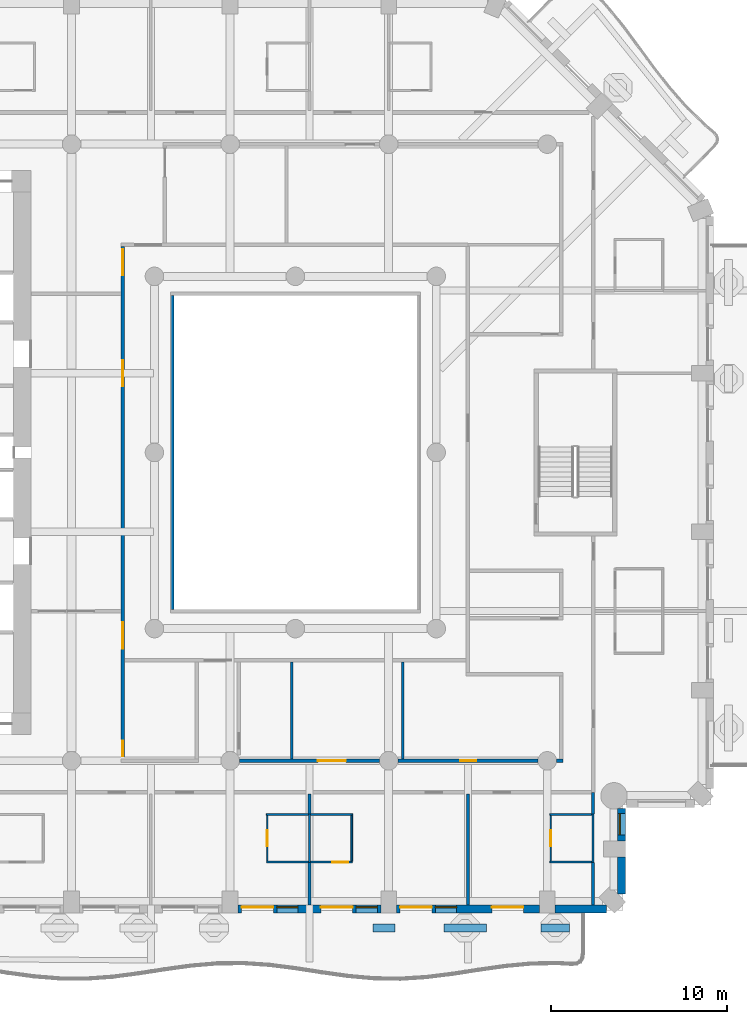
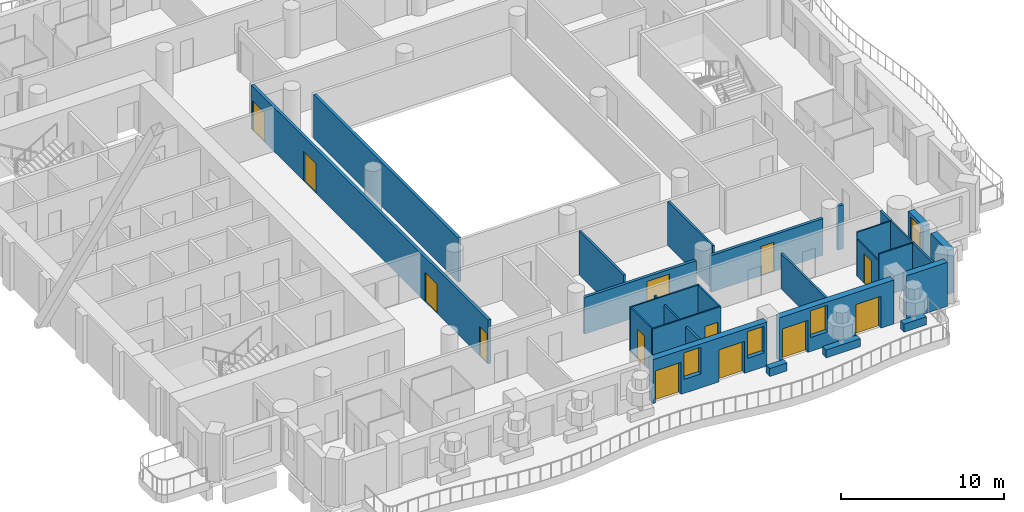
# One storey, part 5 of 21: 29 walls, 13 doors, 4 windows, 17 openings.
"""IFC4 building model written with IfcOpenShell, lengths in metres."""

import ifcopenshell
import ifcopenshell.guid

model = None  # the IFC model being written
_history = None  # IfcOwnerHistory: only IFC2X3 demands one
_inside = {}  # id of a spatial element -> (the spatial element, [elements in it])
_under = {}  # id of a project, library or spatial element -> (it, [spatial elements below it])
_declared = {}  # id of a project -> (the project, [libraries it declares])
_typed = {}  # id of a type object -> (the type object, [elements of that type])
_made_of = {}  # id of a material, layer set ... -> (it, [elements and type objects made of it])


def new_model(schema):
    """Start an empty IFC model of exactly this schema.

    Asked for "IFC4X3", IfcOpenShell would pick the latest addendum, in which some entities
    have other attributes; the version numbers below select the first issue.
    IFC2X3 requires an IfcOwnerHistory on every rooted entity: one is made here for all.
    """
    global model, _history
    if schema == "IFC4X3":
        model = ifcopenshell.file(schema_version=(4, 3, 0, 0))
    else:
        model = ifcopenshell.file(schema=schema)
    _inside.clear()
    _under.clear()
    _declared.clear()
    _typed.clear()
    _made_of.clear()
    _history = None
    if model.schema == "IFC2X3":
        org = make("IfcOrganization", Name="unknown")
        user = make(
            "IfcPersonAndOrganization",
            ThePerson=make("IfcPerson", FamilyName="unknown"),
            TheOrganization=org,
        )
        app = make(
            "IfcApplication",
            ApplicationDeveloper=org,
            Version="unknown",
            ApplicationFullName="unknown",
            ApplicationIdentifier="unknown",
        )
        _history = make(
            "IfcOwnerHistory",
            OwningUser=user,
            OwningApplication=app,
            ChangeAction="ADDED",
            CreationDate=0,
        )
    return model


def make(cls, **values):
    """One entity of the class cls with the attributes given. An attribute that is None is left unset."""
    return model.create_entity(
        cls, **{name: value for name, value in values.items() if value is not None}
    )


def rooted(cls, **values):
    """An entity with a GlobalId (a new one), such as an element, a storey or a relation."""
    return make(cls, GlobalId=ifcopenshell.guid.new(), OwnerHistory=_history, **values)


def si_unit(unit_type, name, prefix=None):
    """IfcSIUnit, for example si_unit("LENGTHUNIT", "METRE", prefix="MILLI")."""
    return make("IfcSIUnit", UnitType=unit_type, Prefix=prefix, Name=name)


def assignment(units):
    """IfcUnitAssignment: the units of a project."""
    return None if units is None else make("IfcUnitAssignment", Units=units)


def point(xyz):
    """IfcCartesianPoint."""
    return None if xyz is None else make("IfcCartesianPoint", Coordinates=xyz)


def direction(xyz):
    """IfcDirection."""
    return None if xyz is None else make("IfcDirection", DirectionRatios=xyz)


def frame(location, z_axis=None, x_axis=None):
    """IfcAxis2Placement3D, a coordinate frame: its origin and axes. An axis left out is left unset."""
    return make(
        "IfcAxis2Placement3D",
        Location=point(location),
        Axis=direction(z_axis),
        RefDirection=direction(x_axis),
    )


def frame_2d(location, x_axis=None):
    """IfcAxis2Placement2D, a coordinate frame in the plane: its origin and x axis."""
    return make(
        "IfcAxis2Placement2D", Location=point(location), RefDirection=direction(x_axis)
    )


def origin():
    """The frame at (0, 0, 0) with its axes left unset."""
    return frame((0.0, 0.0, 0.0))


def place(relative_to, where):
    """IfcLocalPlacement: puts the frame where relative to a parent placement (None: the world)."""
    return make(
        "IfcLocalPlacement", PlacementRelTo=relative_to, RelativePlacement=where
    )


def context(
    kind, dimensions, precision=None, world=None, true_north=None, identifier=None
):
    """IfcGeometricRepresentationContext, for example the 3D "Model" context."""
    return make(
        "IfcGeometricRepresentationContext",
        ContextIdentifier=identifier,
        ContextType=kind,
        CoordinateSpaceDimension=dimensions,
        Precision=precision,
        WorldCoordinateSystem=world,
        TrueNorth=true_north,
    )


def subcontext(parent, identifier, kind, view, scale=None):
    """IfcGeometricRepresentationSubContext, for example "Body" below "Model"."""
    return make(
        "IfcGeometricRepresentationSubContext",
        ContextIdentifier=identifier,
        ContextType=kind,
        ParentContext=parent,
        TargetScale=scale,
        TargetView=view,
    )


def project(units=None, contexts=None):
    """IfcProject with its units and contexts."""
    return rooted(
        "IfcProject",
        Name="project",
        RepresentationContexts=contexts,
        UnitsInContext=assignment(units),
    )


def spatial(cls, under=None, at=None, **own):
    """A site, building, storey or space (cls), placed at a placement, below another one or the project."""
    s = rooted(cls, ObjectPlacement=at, **own)
    if under is not None:
        _under.setdefault(under.id(), (under, []))[1].append(s)
    return s


def profile(cls, at=None, kind="AREA", **sizes):
    """A parametric profile (cls). Its sizes go by their IFC names, for example OverallWidth=200.0."""
    return make(cls, ProfileType=kind, Position=at, **sizes)


def rectangle(**sizes):
    """IfcRectangleProfileDef."""
    return profile("IfcRectangleProfileDef", **sizes)


def extrude(swept, where, along, depth):
    """IfcExtrudedAreaSolid: the profile swept, set in the frame where, extruded along a direction by depth."""
    return make(
        "IfcExtrudedAreaSolid",
        SweptArea=swept,
        Position=where,
        ExtrudedDirection=direction(along),
        Depth=depth,
    )


def shape(context_of_items, identifier, shape_type, items):
    """IfcShapeRepresentation: the items that make up one representation, for example the "Body"."""
    return make(
        "IfcShapeRepresentation",
        ContextOfItems=context_of_items,
        RepresentationIdentifier=identifier,
        RepresentationType=shape_type,
        Items=items,
    )


def material(Name=None, Category=None):
    """IfcMaterial."""
    return make("IfcMaterial", Name=Name, Category=Category)


def layer(
    of_material, thickness, ventilated=None, Name=None, Category=None, Priority=None
):
    """IfcMaterialLayer: one layer of a wall or slab, of a material (None: an air gap)."""
    return make(
        "IfcMaterialLayer",
        Material=of_material,
        LayerThickness=thickness,
        IsVentilated=ventilated,
        Name=Name,
        Category=Category,
        Priority=Priority,
    )


def layer_set(layers, Name=None):
    """IfcMaterialLayerSet."""
    return make("IfcMaterialLayerSet", MaterialLayers=layers, LayerSetName=Name)


def made_of(thing, what):
    """Note that an element or type object is made of a material, layer set ...; save() writes the relation."""
    if what is not None:
        _made_of.setdefault(what.id(), (what, []))[1].append(thing)
    return thing


def type_object(cls, material=None, **own):
    """A type object (cls), such as IfcWallType, which elements share."""
    return made_of(rooted(cls, **own), material)


def element(
    cls,
    number,
    at=None,
    inside=None,
    cuts=None,
    type_object=None,
    material=None,
    context=None,
    identifier="Body",
    shape_type=None,
    held_by="IfcProductDefinitionShape",
    body=None,
    shapes=None,
    **own,
):
    """One element of the class cls, such as IfcWall. Its Tag is "e" and its number.

    at: its placement. inside: the storey or other place that contains it. cuts: it is an
    opening in that element (IfcRelVoidsElement). A single representation is given by context,
    identifier, shape_type and body (its items); several are given by shapes. held_by: the class
    of the entity that holds the representations. save() writes the other relations.
    """
    e = rooted(cls, Tag="e%d" % number, ObjectPlacement=at, **own)
    if body is not None:
        shapes = [shape(context, identifier, shape_type, body)]
    if shapes is not None:
        e.Representation = make(held_by, Representations=shapes)
    if inside is not None:
        _inside.setdefault(inside.id(), (inside, []))[1].append(e)
    if cuts is not None:
        rooted(
            "IfcRelVoidsElement", RelatingBuildingElement=cuts, RelatedOpeningElement=e
        )
    if type_object is not None:
        _typed.setdefault(type_object.id(), (type_object, []))[1].append(e)
    return made_of(e, material)


def fill(opening, filler):
    """IfcRelFillsElement: the door or window that sits in an opening."""
    return rooted(
        "IfcRelFillsElement",
        RelatingOpeningElement=opening,
        RelatedBuildingElement=filler,
    )


def aggregate(whole, parts):
    """IfcRelAggregates: a whole, such as a stair, and the parts it consists of."""
    return rooted("IfcRelAggregates", RelatingObject=whole, RelatedObjects=parts)


def save(model, path):
    """Write the relations noted so far, then the file.

    IfcRelAggregates (storeys below a building ...), IfcRelContainedInSpatialStructure (elements
    in a storey), IfcRelDefinesByType, IfcRelAssociatesMaterial and IfcRelDeclares: one each for
    every whole, place, type object, material and project.
    """
    for whole, parts in _under.values():
        aggregate(whole, parts)
    for where, things in _inside.values():
        rooted(
            "IfcRelContainedInSpatialStructure",
            RelatedElements=things,
            RelatingStructure=where,
        )
    for kind, things in _typed.values():
        rooted("IfcRelDefinesByType", RelatedObjects=things, RelatingType=kind)
    for what, things in _made_of.values():
        rooted("IfcRelAssociatesMaterial", RelatedObjects=things, RelatingMaterial=what)
    for by, libraries in _declared.values():
        rooted("IfcRelDeclares", RelatingContext=by, RelatedDefinitions=libraries)
    model.write(path)


model = new_model("IFC4")

# Units and contexts
model_context = context("Model", 3, precision=1e-05, world=origin(), true_north=direction((0.0, 1.0)))
body_context = subcontext(model_context, "Body", "Model", "MODEL_VIEW")
ifc_project = project(units=[si_unit("LENGTHUNIT", "METRE"), si_unit("AREAUNIT", "SQUARE_METRE"), si_unit("VOLUMEUNIT", "CUBIC_METRE"), si_unit("PLANEANGLEUNIT", "RADIAN"), si_unit("MASSUNIT", "GRAM", prefix="KILO")], contexts=[model_context])

# Site, building, storey
site_placement = place(None, origin())
site = spatial("IfcSite", under=ifc_project, at=site_placement, CompositionType="ELEMENT")
building_placement = place(site_placement, origin())
building = spatial("IfcBuilding", under=site, at=building_placement, Name="Cypress Arch Tower", CompositionType="ELEMENT")
storey_placement = place(building_placement, frame((0.0, 0.0, 127.5)))
storey = spatial("IfcBuildingStorey", under=building, at=storey_placement, Name="L27", CompositionType="ELEMENT", Elevation=127.5)

# Walls
ifc_material_1 = material(Name="Concrete C40/50, waterproofed", Category="concrete")
ifc_layer_1 = layer(ifc_material_1, 0.449951171875)
ifc_layer_set_1 = layer_set([ifc_layer_1], Name="Balcony planter wall PW450")
wall_type_1 = type_object("IfcWallType", Name="Balcony planter wall PW450", PredefinedType="SOLIDWALL", material=ifc_layer_set_1)
wall_1_placement = place(storey_placement, frame((5.419921875, -27.0, 0.0), z_axis=(0.0, 0.0, 1.0), x_axis=(1.0, 0.0, 0.0)))
element("IfcWall", 1, at=wall_1_placement, inside=storey, type_object=wall_type_1, Name="Balcony planter wall L27-A03.5", PredefinedType="SOLIDWALL", context=body_context, shape_type="SweptSolid", body=[
    extrude(rectangle(XDim=1.22998046875, YDim=0.449951171875, at=frame_2d((0.614990234375, 0.0))), origin(), (0.0, 0.0, 1.0), 0.60009765625),
])
wall_2_placement = place(storey_placement, frame((9.429931640625, -27.0, 0.0), z_axis=(0.0, 0.0, 1.0), x_axis=(1.0, 0.0, 0.0)))
element("IfcWall", 2, at=wall_2_placement, inside=storey, type_object=wall_type_1, Name="Balcony planter wall L27-A03.6", PredefinedType="SOLIDWALL", context=body_context, shape_type="SweptSolid", body=[
    extrude(rectangle(XDim=2.420166015625, YDim=0.449951171875, at=frame_2d((1.2099609375, 0.0))), origin(), (0.0, 0.0, 1.0), 0.60009765625),
])
wall_3_placement = place(storey_placement, frame((14.949951171875, -27.0, 0.0), z_axis=(0.0, 0.0, 1.0), x_axis=(1.0, 0.0, 0.0)))
element("IfcWall", 3, at=wall_3_placement, inside=storey, type_object=wall_type_1, Name="Balcony planter wall L27-A03.7", PredefinedType="SOLIDWALL", context=body_context, shape_type="SweptSolid", body=[
    extrude(rectangle(XDim=1.60009765625, YDim=0.449951171875, at=frame_2d((0.800048828125, 0.0))), origin(), (0.0, 0.0, 1.0), 0.60009765625),
])

# Wall, openings, doors, windows
ifc_material_2 = material(Name="Brick (red buff blend)", Category="masonry")
ifc_layer_2 = layer(ifc_material_2, 0.449951171875)
ifc_layer_set_2 = layer_set([ifc_layer_2], Name="Brick pier and spandrel wall BW450")
wall_type_2 = type_object("IfcWallType", Name="Brick pier and spandrel wall BW450", PredefinedType="SOLIDWALL", material=ifc_layer_set_2)
wall_4_placement = place(storey_placement, frame((-2.25, -25.925048828125, 0.0), z_axis=(0.0, 0.0, 1.0), x_axis=(1.0, 0.0, 0.0)))
wall_4 = element("IfcWall", 4, at=wall_4_placement, inside=storey, type_object=wall_type_2, Name="Brick wall L27 A03.3", PredefinedType="SOLIDWALL", context=body_context, shape_type="SweptSolid", body=[
    extrude(rectangle(XDim=8.10009765625, YDim=0.449951171875, at=frame_2d((4.050048828125, 0.0))), origin(), (0.0, 0.0, 1.0), 3.300048828125),
])
opening_1_placement = place(wall_4_placement, frame((0.199951171875, 0.0, 0.0)))
opening_1 = element("IfcOpeningElement", 5, at=opening_1_placement, cuts=wall_4, Name="Opening D-L27-A03.3.1", PredefinedType="OPENING", context=body_context, shape_type="SweptSolid", body=[
    extrude(rectangle(XDim=1.800048828125, YDim=2.39990234375, at=frame_2d((0.89990234375, 1.199951171875))), frame((0.0, 0.23486328125, 0.0), z_axis=(0.0, -1.0, 0.0), x_axis=(1.0, 0.0, 0.0)), (0.0, 0.0, 1.0), 0.469970703125),
])
opening_2_placement = place(wall_4_placement, frame((2.199951171875, 0.0, 1.050048828125)))
opening_2 = element("IfcOpeningElement", 6, at=opening_2_placement, cuts=wall_4, Name="Opening W120HD", PredefinedType="OPENING", context=body_context, shape_type="SweptSolid", body=[
    extrude(rectangle(XDim=1.199951171875, YDim=2.0, at=frame_2d((0.60009765625, 1.0))), frame((0.0, 0.23486328125, 0.0), z_axis=(0.0, -1.0, 0.0), x_axis=(1.0, 0.0, 0.0)), (0.0, 0.0, 1.0), 0.469970703125),
])
opening_3_placement = place(wall_4_placement, frame((4.699951171875, 0.0, 0.0)))
opening_3 = element("IfcOpeningElement", 7, at=opening_3_placement, cuts=wall_4, Name="Opening D-L27-A03.3.2", PredefinedType="OPENING", context=body_context, shape_type="SweptSolid", body=[
    extrude(rectangle(XDim=1.800048828125, YDim=2.39990234375, at=frame_2d((0.89990234375, 1.199951171875))), frame((0.0, 0.23486328125, 0.0), z_axis=(0.0, -1.0, 0.0), x_axis=(1.0, 0.0, 0.0)), (0.0, 0.0, 1.0), 0.469970703125),
])
opening_4_placement = place(wall_4_placement, frame((6.699951171875, 0.0, 1.050048828125)))
opening_4 = element("IfcOpeningElement", 8, at=opening_4_placement, cuts=wall_4, Name="Opening W120HD", PredefinedType="OPENING", context=body_context, shape_type="SweptSolid", body=[
    extrude(rectangle(XDim=1.199951171875, YDim=2.0, at=frame_2d((0.60009765625, 1.0))), frame((0.0, 0.23486328125, 0.0), z_axis=(0.0, -1.0, 0.0), x_axis=(1.0, 0.0, 0.0)), (0.0, 0.0, 1.0), 0.469970703125),
])
ifc_material_3 = material(Name="Anodised aluminium, bronze finish, laminated low-emissivity double glazing, large-missile impact rated", Category="aluminium")
door_type_1 = type_object("IfcDoorType", Name="Balcony sliding door 1800x2400", OperationType="SLIDING_TO_LEFT", PredefinedType="DOOR", material=ifc_material_3)
door_1_placement = place(opening_1_placement, origin())
door_1 = element("IfcDoor", 9, at=door_1_placement, inside=storey, type_object=door_type_1, Name="Balcony door L27 A03.3.1", OperationType="SLIDING_TO_LEFT", OverallHeight=2.39990234375, OverallWidth=1.800048828125, PredefinedType="DOOR", context=body_context, shape_type="SweptSolid", body=[
    extrude(rectangle(XDim=1.800048828125, YDim=2.39990234375, at=frame_2d((0.89990234375, 1.199951171875))), frame((0.0, 0.1298828125, 0.0), z_axis=(0.0, -1.0, 0.0), x_axis=(1.0, 0.0, 0.0)), (0.0, 0.0, 1.0), 0.050048828125),
])
fill(opening_1, door_1)
door_2_placement = place(opening_3_placement, origin())
door_2 = element("IfcDoor", 10, at=door_2_placement, inside=storey, type_object=door_type_1, Name="Balcony door L27 A03.3.2", OperationType="SLIDING_TO_LEFT", OverallHeight=2.39990234375, OverallWidth=1.800048828125, PredefinedType="DOOR", context=body_context, shape_type="SweptSolid", body=[
    extrude(rectangle(XDim=1.800048828125, YDim=2.39990234375, at=frame_2d((0.89990234375, 1.199951171875))), frame((0.0, 0.1298828125, 0.0), z_axis=(0.0, -1.0, 0.0), x_axis=(1.0, 0.0, 0.0)), (0.0, 0.0, 1.0), 0.050048828125),
])
fill(opening_3, door_2)
ifc_material_4 = material(Name="Anodised aluminium, bronze finish, laminated low-emissivity double glazing, large-missile impact rated", Category="aluminium")
window_type_1 = type_object("IfcWindowType", Name="Window Hotel 1200x2000 debris-rated", PartitioningType="SINGLE_PANEL", PredefinedType="WINDOW", material=ifc_material_4)
window_1_placement = place(opening_2_placement, origin())
window_1 = element("IfcWindow", 11, at=window_1_placement, inside=storey, type_object=window_type_1, Name="Window L27 A03.3.1", OverallHeight=2.0, OverallWidth=1.199951171875, PartitioningType="SINGLE_PANEL", PredefinedType="WINDOW", context=body_context, shape_type="SweptSolid", body=[
    extrude(rectangle(XDim=1.199951171875, YDim=2.0, at=frame_2d((0.60009765625, 1.0))), frame((0.0, 0.135009765625, 0.0), z_axis=(0.0, -1.0, 0.0), x_axis=(1.0, 0.0, 0.0)), (0.0, 0.0, 1.0), 0.06005859375),
])
fill(opening_2, window_1)
window_2_placement = place(opening_4_placement, origin())
window_2 = element("IfcWindow", 12, at=window_2_placement, inside=storey, type_object=window_type_1, Name="Window L27 A03.3.2", OverallHeight=2.0, OverallWidth=1.199951171875, PartitioningType="SINGLE_PANEL", PredefinedType="WINDOW", context=body_context, shape_type="SweptSolid", body=[
    extrude(rectangle(XDim=1.199951171875, YDim=2.0, at=frame_2d((0.60009765625, 1.0))), frame((0.0, 0.135009765625, 0.0), z_axis=(0.0, -1.0, 0.0), x_axis=(1.0, 0.0, 0.0)), (0.0, 0.0, 1.0), 0.06005859375),
])
fill(opening_4, window_2)

# Wall, openings, doors, window
wall_5_placement = place(storey_placement, frame((6.75, -25.925048828125, 0.0), z_axis=(0.0, 0.0, 1.0), x_axis=(1.0, 0.0, 0.0)))
wall_5 = element("IfcWall", 13, at=wall_5_placement, inside=storey, type_object=wall_type_2, Name="Brick wall L27 A03.4", PredefinedType="SOLIDWALL", context=body_context, shape_type="SweptSolid", body=[
    extrude(rectangle(XDim=8.10009765625, YDim=0.449951171875, at=frame_2d((4.050048828125, 0.0))), origin(), (0.0, 0.0, 1.0), 3.300048828125),
])
opening_5_placement = place(wall_5_placement, frame((0.199951171875, 0.0, 0.0)))
opening_5 = element("IfcOpeningElement", 14, at=opening_5_placement, cuts=wall_5, Name="Opening D-L27-A03.4.1", PredefinedType="OPENING", context=body_context, shape_type="SweptSolid", body=[
    extrude(rectangle(XDim=1.800048828125, YDim=2.39990234375, at=frame_2d((0.89990234375, 1.199951171875))), frame((0.0, 0.23486328125, 0.0), z_axis=(0.0, -1.0, 0.0), x_axis=(1.0, 0.0, 0.0)), (0.0, 0.0, 1.0), 0.469970703125),
])
opening_6_placement = place(wall_5_placement, frame((2.199951171875, 0.0, 1.050048828125)))
opening_6 = element("IfcOpeningElement", 15, at=opening_6_placement, cuts=wall_5, Name="Opening W120HD", PredefinedType="OPENING", context=body_context, shape_type="SweptSolid", body=[
    extrude(rectangle(XDim=1.199951171875, YDim=2.0, at=frame_2d((0.60009765625, 1.0))), frame((0.0, 0.23486328125, 0.0), z_axis=(0.0, -1.0, 0.0), x_axis=(1.0, 0.0, 0.0)), (0.0, 0.0, 1.0), 0.469970703125),
])
opening_7_placement = place(wall_5_placement, frame((5.39990234375, 0.0, 0.0)))
opening_7 = element("IfcOpeningElement", 16, at=opening_7_placement, cuts=wall_5, Name="Opening D-L27-A03.4.2", PredefinedType="OPENING", context=body_context, shape_type="SweptSolid", body=[
    extrude(rectangle(XDim=1.800048828125, YDim=2.39990234375, at=frame_2d((0.89990234375, 1.199951171875))), frame((0.0, 0.23486328125, 0.0), z_axis=(0.0, -1.0, 0.0), x_axis=(1.0, 0.0, 0.0)), (0.0, 0.0, 1.0), 0.469970703125),
])
door_3_placement = place(opening_5_placement, origin())
door_3 = element("IfcDoor", 17, at=door_3_placement, inside=storey, type_object=door_type_1, Name="Balcony door L27 A03.4.1", OperationType="SLIDING_TO_LEFT", OverallHeight=2.39990234375, OverallWidth=1.800048828125, PredefinedType="DOOR", context=body_context, shape_type="SweptSolid", body=[
    extrude(rectangle(XDim=1.800048828125, YDim=2.39990234375, at=frame_2d((0.89990234375, 1.199951171875))), frame((0.0, 0.1298828125, 0.0), z_axis=(0.0, -1.0, 0.0), x_axis=(1.0, 0.0, 0.0)), (0.0, 0.0, 1.0), 0.050048828125),
])
fill(opening_5, door_3)
door_4_placement = place(opening_7_placement, origin())
door_4 = element("IfcDoor", 18, at=door_4_placement, inside=storey, type_object=door_type_1, Name="Balcony door L27 A03.4.2", OperationType="SLIDING_TO_LEFT", OverallHeight=2.39990234375, OverallWidth=1.800048828125, PredefinedType="DOOR", context=body_context, shape_type="SweptSolid", body=[
    extrude(rectangle(XDim=1.800048828125, YDim=2.39990234375, at=frame_2d((0.89990234375, 1.199951171875))), frame((0.0, 0.1298828125, 0.0), z_axis=(0.0, -1.0, 0.0), x_axis=(1.0, 0.0, 0.0)), (0.0, 0.0, 1.0), 0.050048828125),
])
fill(opening_7, door_4)
window_3_placement = place(opening_6_placement, origin())
window_3 = element("IfcWindow", 19, at=window_3_placement, inside=storey, type_object=window_type_1, Name="Window L27 A03.4.1", OverallHeight=2.0, OverallWidth=1.199951171875, PartitioningType="SINGLE_PANEL", PredefinedType="WINDOW", context=body_context, shape_type="SweptSolid", body=[
    extrude(rectangle(XDim=1.199951171875, YDim=2.0, at=frame_2d((0.60009765625, 1.0))), frame((0.0, 0.135009765625, 0.0), z_axis=(0.0, -1.0, 0.0), x_axis=(1.0, 0.0, 0.0)), (0.0, 0.0, 1.0), 0.06005859375),
])
fill(opening_6, window_3)

# Walls
wall_6_placement = place(storey_placement, frame((15.75, -25.925048828125, 0.0), z_axis=(0.0, 0.0, 1.0), x_axis=(1.0, 0.0, 0.0)))
element("IfcWall", 20, at=wall_6_placement, inside=storey, type_object=wall_type_2, Name="Brick wall L27 A03.5", PredefinedType="SOLIDWALL", context=body_context, shape_type="SweptSolid", body=[
    extrude(rectangle(XDim=2.91357421875, YDim=0.449951171875, at=frame_2d((1.456787109375, 0.0))), origin(), (0.0, 0.0, 1.0), 3.300048828125),
])
wall_7_placement = place(storey_placement, frame((19.52490234375, -25.063720703125, 0.0), z_axis=(0.0, 0.0, 1.0), x_axis=(0.0, 1.0, 0.0)))
element("IfcWall", 21, at=wall_7_placement, inside=storey, type_object=wall_type_2, Name="Brick wall L27 A04.0", PredefinedType="SOLIDWALL", context=body_context, shape_type="SweptSolid", body=[
    extrude(rectangle(XDim=2.11376953125, YDim=0.449951171875, at=frame_2d((1.056884765625, 0.0))), origin(), (0.0, 0.0, 1.0), 3.300048828125),
])

# Wall, opening, window
wall_8_placement = place(storey_placement, frame((19.52490234375, -22.050048828125, 0.0), z_axis=(0.0, 0.0, 1.0), x_axis=(0.0, 1.0, 0.0)))
wall_8 = element("IfcWall", 22, at=wall_8_placement, inside=storey, type_object=wall_type_2, Name="Brick wall L27 A04.1", PredefinedType="SOLIDWALL", context=body_context, shape_type="SweptSolid", body=[
    extrude(rectangle(XDim=1.843017578125, YDim=0.449951171875, at=frame_2d((0.92138671875, 0.0))), origin(), (0.0, 0.0, 1.0), 3.300048828125),
])
opening_8_placement = place(wall_8_placement, frame((0.35009765625, 0.0, 1.050048828125)))
opening_8 = element("IfcOpeningElement", 23, at=opening_8_placement, cuts=wall_8, Name="Opening W120H", PredefinedType="OPENING", context=body_context, shape_type="SweptSolid", body=[
    extrude(rectangle(XDim=1.199951171875, YDim=2.0, at=frame_2d((0.60009765625, 1.0))), frame((0.0, 0.23486328125, 0.0), z_axis=(0.0, -1.0, 0.0), x_axis=(1.0, 0.0, 0.0)), (0.0, 0.0, 1.0), 0.469970703125),
])
ifc_material_5 = material(Name="Anodised aluminium, bronze finish, clear low-emissivity double glazing", Category="aluminium")
window_type_2 = type_object("IfcWindowType", Name="Window Hotel 1200x2000", PartitioningType="SINGLE_PANEL", PredefinedType="WINDOW", material=ifc_material_5)
window_4_placement = place(opening_8_placement, origin())
window_4 = element("IfcWindow", 24, at=window_4_placement, inside=storey, type_object=window_type_2, Name="Window L27 A04.1.1", OverallHeight=2.0, OverallWidth=1.199951171875, PartitioningType="SINGLE_PANEL", PredefinedType="WINDOW", context=body_context, shape_type="SweptSolid", body=[
    extrude(rectangle(XDim=1.199951171875, YDim=2.0, at=frame_2d((0.60009765625, 1.0))), frame((0.0, 0.135009765625, 0.0), z_axis=(0.0, -1.0, 0.0), x_axis=(1.0, 0.0, 0.0)), (0.0, 0.0, 1.0), 0.06005859375),
])
fill(opening_8, window_4)

# Wall, openings, doors
ifc_material_6 = material(Name="Concrete blockwork, plastered, rated", Category="masonry")
ifc_layer_3 = layer(ifc_material_6, 0.199951171875)
ifc_layer_set_3 = layer_set([ifc_layer_3], Name="Corridor wall FW200")
wall_type_3 = type_object("IfcWallType", Name="Corridor wall FW200", PredefinedType="PARTITIONING", material=ifc_layer_set_3)
wall_9_placement = place(storey_placement, frame((-8.800048828125, -17.39990234375, 0.0), z_axis=(0.0, 0.0, 1.0), x_axis=(0.0, 1.0, 0.0)))
wall_9 = element("IfcWall", 25, at=wall_9_placement, inside=storey, type_object=wall_type_3, Name="Corridor wall", PredefinedType="PARTITIONING", context=body_context, shape_type="SweptSolid", body=[
    extrude(rectangle(XDim=29.099853515625, YDim=0.199951171875, at=frame_2d((14.5498046875, 0.0))), origin(), (0.0, 0.0, 1.0), 3.300048828125),
])
opening_9_placement = place(wall_9_placement, frame((21.14990234375, 0.0, 0.0)))
opening_9 = element("IfcOpeningElement", 26, at=opening_9_placement, cuts=wall_9, Name="Opening D04", PredefinedType="OPENING", context=body_context, shape_type="SweptSolid", body=[
    extrude(rectangle(XDim=1.5, YDim=2.199951171875, at=frame_2d((0.75, 1.10009765625))), frame((0.0, 0.10986328125, 0.0), z_axis=(0.0, -1.0, 0.0), x_axis=(1.0, 0.0, 0.0)), (0.0, 0.0, 1.0), 0.219970703125),
])
opening_10_placement = place(wall_9_placement, frame((6.25, 0.0, 0.0)))
opening_10 = element("IfcOpeningElement", 27, at=opening_10_placement, cuts=wall_9, Name="Opening D04", PredefinedType="OPENING", context=body_context, shape_type="SweptSolid", body=[
    extrude(rectangle(XDim=1.5, YDim=2.199951171875, at=frame_2d((0.75, 1.10009765625))), frame((0.0, 0.10986328125, 0.0), z_axis=(0.0, -1.0, 0.0), x_axis=(1.0, 0.0, 0.0)), (0.0, 0.0, 1.0), 0.219970703125),
])
opening_11_placement = place(wall_9_placement, frame((27.449951171875, 0.0, 0.0)))
opening_11 = element("IfcOpeningElement", 28, at=opening_11_placement, cuts=wall_9, Name="Opening D04", PredefinedType="OPENING", context=body_context, shape_type="SweptSolid", body=[
    extrude(rectangle(XDim=1.5, YDim=2.199951171875, at=frame_2d((0.75, 1.10009765625))), frame((0.0, 0.10986328125, 0.0), z_axis=(0.0, -1.0, 0.0), x_axis=(1.0, 0.0, 0.0)), (0.0, 0.0, 1.0), 0.219970703125),
])
opening_12_placement = place(wall_9_placement, frame((0.14990234375, 0.0, 0.0)))
opening_12 = element("IfcOpeningElement", 29, at=opening_12_placement, cuts=wall_9, Name="Opening D05", PredefinedType="OPENING", context=body_context, shape_type="SweptSolid", body=[
    extrude(rectangle(XDim=0.89990234375, YDim=2.199951171875, at=frame_2d((0.449951171875, 1.10009765625))), frame((0.0, 0.10986328125, 0.0), z_axis=(0.0, -1.0, 0.0), x_axis=(1.0, 0.0, 0.0)), (0.0, 0.0, 1.0), 0.219970703125),
])
ifc_material_7 = material(Name="Timber double door", Category="wood")
door_type_2 = type_object("IfcDoorType", Name="Double door D04 1500x2200", OperationType="DOUBLE_DOOR_SINGLE_SWING", PredefinedType="DOOR", material=ifc_material_7)
door_5_placement = place(opening_9_placement, origin())
door_5 = element("IfcDoor", 30, at=door_5_placement, inside=storey, type_object=door_type_2, Name="Double door", OperationType="DOUBLE_DOOR_SINGLE_SWING", OverallHeight=2.199951171875, OverallWidth=1.5, PredefinedType="DOOR", context=body_context, shape_type="SweptSolid", body=[
    extrude(rectangle(XDim=1.5, YDim=2.199951171875, at=frame_2d((0.75, 1.10009765625))), frame((0.0, 0.02490234375, 0.0), z_axis=(0.0, -1.0, 0.0), x_axis=(1.0, 0.0, 0.0)), (0.0, 0.0, 1.0), 0.050048828125),
])
fill(opening_9, door_5)
door_6_placement = place(opening_10_placement, origin())
door_6 = element("IfcDoor", 31, at=door_6_placement, inside=storey, type_object=door_type_2, Name="Double door", OperationType="DOUBLE_DOOR_SINGLE_SWING", OverallHeight=2.199951171875, OverallWidth=1.5, PredefinedType="DOOR", context=body_context, shape_type="SweptSolid", body=[
    extrude(rectangle(XDim=1.5, YDim=2.199951171875, at=frame_2d((0.75, 1.10009765625))), frame((0.0, 0.02490234375, 0.0), z_axis=(0.0, -1.0, 0.0), x_axis=(1.0, 0.0, 0.0)), (0.0, 0.0, 1.0), 0.050048828125),
])
fill(opening_10, door_6)
door_7_placement = place(opening_11_placement, origin())
door_7 = element("IfcDoor", 32, at=door_7_placement, inside=storey, type_object=door_type_2, Name="Double door", OperationType="DOUBLE_DOOR_SINGLE_SWING", OverallHeight=2.199951171875, OverallWidth=1.5, PredefinedType="DOOR", context=body_context, shape_type="SweptSolid", body=[
    extrude(rectangle(XDim=1.5, YDim=2.199951171875, at=frame_2d((0.75, 1.10009765625))), frame((0.0, 0.02490234375, 0.0), z_axis=(0.0, -1.0, 0.0), x_axis=(1.0, 0.0, 0.0)), (0.0, 0.0, 1.0), 0.050048828125),
])
fill(opening_11, door_7)
ifc_material_8 = material(Name="Timber flush door", Category="wood")
door_type_3 = type_object("IfcDoorType", Name="Service door D05 900x2200", OperationType="SINGLE_SWING_LEFT", PredefinedType="DOOR", material=ifc_material_8)
door_8_placement = place(opening_12_placement, origin())
door_8 = element("IfcDoor", 33, at=door_8_placement, inside=storey, type_object=door_type_3, Name="Service door", OperationType="SINGLE_SWING_RIGHT", OverallHeight=2.199951171875, OverallWidth=0.89990234375, PredefinedType="DOOR", context=body_context, shape_type="SweptSolid", body=[
    extrude(rectangle(XDim=0.89990234375, YDim=2.199951171875, at=frame_2d((0.449951171875, 1.10009765625))), frame((0.0, 0.02490234375, 0.0), z_axis=(0.0, -1.0, 0.0), x_axis=(1.0, 0.0, 0.0)), (0.0, 0.0, 1.0), 0.050048828125),
])
fill(opening_12, door_8)

# Wall
wall_10_placement = place(storey_placement, frame((-6.0, -8.89990234375, 0.0), z_axis=(0.0, 0.0, 1.0), x_axis=(0.0, 1.0, 0.0)))
element("IfcWall", 34, at=wall_10_placement, inside=storey, type_object=wall_type_3, Name="Corridor wall", PredefinedType="PARTITIONING", context=body_context, shape_type="SweptSolid", body=[
    extrude(rectangle(XDim=17.7998046875, YDim=0.199951171875, at=frame_2d((8.89990234375, 0.0))), origin(), (0.0, 0.0, 1.0), 3.300048828125),
])

# Wall, opening, door
wall_11_placement = place(storey_placement, frame((-2.175048828125, -17.5, 0.0), z_axis=(0.0, 0.0, 1.0), x_axis=(1.0, 0.0, 0.0)))
wall_11 = element("IfcWall", 35, at=wall_11_placement, inside=storey, type_object=wall_type_3, Name="Corridor wall", PredefinedType="PARTITIONING", context=body_context, shape_type="SweptSolid", body=[
    extrude(rectangle(XDim=7.949951171875, YDim=0.199951171875, at=frame_2d((3.97509765625, 0.0))), origin(), (0.0, 0.0, 1.0), 2.75),
])
opening_13_placement = place(wall_11_placement, frame((4.449951171875, 0.0, 0.0)))
opening_13 = element("IfcOpeningElement", 36, at=opening_13_placement, cuts=wall_11, Name="Opening D10", PredefinedType="OPENING", context=body_context, shape_type="SweptSolid", body=[
    extrude(rectangle(XDim=1.60009765625, YDim=2.39990234375, at=frame_2d((0.800048828125, 1.199951171875))), frame((0.0, 0.10986328125, 0.0), z_axis=(0.0, -1.0, 0.0), x_axis=(1.0, 0.0, 0.0)), (0.0, 0.0, 1.0), 0.219970703125),
])
ifc_material_9 = material(Name="Black aluminium glazed door", Category="aluminium")
door_type_4 = type_object("IfcDoorType", Name="Amenity door D10 1600x2400", OperationType="DOUBLE_DOOR_SINGLE_SWING", PredefinedType="DOOR", material=ifc_material_9)
door_9_placement = place(opening_13_placement, origin())
door_9 = element("IfcDoor", 37, at=door_9_placement, inside=storey, type_object=door_type_4, Name="Amenity door", OperationType="DOUBLE_DOOR_SINGLE_SWING", OverallHeight=2.39990234375, OverallWidth=1.60009765625, PredefinedType="DOOR", context=body_context, shape_type="SweptSolid", body=[
    extrude(rectangle(XDim=1.60009765625, YDim=2.39990234375, at=frame_2d((0.800048828125, 1.199951171875))), frame((0.0, 0.02490234375, 0.0), z_axis=(0.0, -1.0, 0.0), x_axis=(1.0, 0.0, 0.0)), (0.0, 0.0, 1.0), 0.050048828125),
])
fill(opening_13, door_9)

wall_12_placement = place(storey_placement, frame((6.824951171875, -17.5, 0.0), z_axis=(0.0, 0.0, 1.0), x_axis=(1.0, 0.0, 0.0)))
wall_12 = element("IfcWall", 38, at=wall_12_placement, inside=storey, type_object=wall_type_3, Name="Corridor wall", PredefinedType="PARTITIONING", context=body_context, shape_type="SweptSolid", body=[
    extrude(rectangle(XDim=7.949951171875, YDim=0.199951171875, at=frame_2d((3.97509765625, 0.0))), origin(), (0.0, 0.0, 1.0), 2.75),
])
opening_14_placement = place(wall_12_placement, frame((3.550048828125, 0.0, 0.0)))
opening_14 = element("IfcOpeningElement", 39, at=opening_14_placement, cuts=wall_12, Name="Opening D05", PredefinedType="OPENING", context=body_context, shape_type="SweptSolid", body=[
    extrude(rectangle(XDim=0.89990234375, YDim=2.199951171875, at=frame_2d((0.449951171875, 1.10009765625))), frame((0.0, 0.10986328125, 0.0), z_axis=(0.0, -1.0, 0.0), x_axis=(1.0, 0.0, 0.0)), (0.0, 0.0, 1.0), 0.219970703125),
])
door_10_placement = place(opening_14_placement, origin())
door_10 = element("IfcDoor", 40, at=door_10_placement, inside=storey, type_object=door_type_3, Name="Service door", OperationType="SINGLE_SWING_RIGHT", OverallHeight=2.199951171875, OverallWidth=0.89990234375, PredefinedType="DOOR", context=body_context, shape_type="SweptSolid", body=[
    extrude(rectangle(XDim=0.89990234375, YDim=2.199951171875, at=frame_2d((0.449951171875, 1.10009765625))), frame((0.0, 0.02490234375, 0.0), z_axis=(0.0, -1.0, 0.0), x_axis=(1.0, 0.0, 0.0)), (0.0, 0.0, 1.0), 0.050048828125),
])
fill(opening_14, door_10)

# Walls
wall_13_placement = place(storey_placement, frame((15.824951171875, -17.5, 0.0), z_axis=(0.0, 0.0, 1.0), x_axis=(1.0, 0.0, 0.0)))
element("IfcWall", 41, at=wall_13_placement, inside=storey, type_object=wall_type_3, Name="Corridor wall", PredefinedType="PARTITIONING", context=body_context, shape_type="SweptSolid", body=[
    extrude(rectangle(XDim=0.375, YDim=0.199951171875, at=frame_2d((0.1875, 0.0))), origin(), (0.0, 0.0, 1.0), 3.300048828125),
])
ifc_material_10 = material(Name="Blockwork, plastered both sides", Category="masonry")
ifc_layer_4 = layer(ifc_material_10, 0.14990234375)
ifc_layer_set_4 = layer_set([ifc_layer_4], Name="Partition PW150")
wall_type_4 = type_object("IfcWallType", Name="Partition PW150", PredefinedType="PARTITIONING", material=ifc_layer_set_4)
wall_14_placement = place(storey_placement, frame((0.800048828125, -17.39990234375, 0.0), z_axis=(0.0, 0.0, 1.0), x_axis=(0.0, 1.0, 0.0)))
element("IfcWall", 42, at=wall_14_placement, inside=storey, type_object=wall_type_4, Name="Partition", PredefinedType="PARTITIONING", context=body_context, shape_type="SweptSolid", body=[
    extrude(rectangle(XDim=5.5, YDim=0.14990234375, at=frame_2d((2.75, 0.0))), origin(), (0.0, 0.0, 1.0), 3.300048828125),
])
wall_15_placement = place(storey_placement, frame((1.800048828125, -25.699951171875, 0.0), z_axis=(0.0, 0.0, 1.0), x_axis=(0.0, 1.0, 0.0)))
element("IfcWall", 43, at=wall_15_placement, inside=storey, type_object=wall_type_4, Name="Partition", PredefinedType="PARTITIONING", context=body_context, shape_type="SweptSolid", body=[
    extrude(rectangle(XDim=2.429931640625, YDim=0.14990234375, at=frame_2d((1.21484375, 0.0))), origin(), (0.0, 0.0, 1.0), 2.64990234375),
])
wall_16_placement = place(storey_placement, frame((1.800048828125, -20.530029296875, 0.0), z_axis=(0.0, 0.0, 1.0), x_axis=(0.0, 1.0, 0.0)))
element("IfcWall", 44, at=wall_16_placement, inside=storey, type_object=wall_type_4, Name="Partition", PredefinedType="PARTITIONING", context=body_context, shape_type="SweptSolid", body=[
    extrude(rectangle(XDim=1.130126953125, YDim=0.14990234375, at=frame_2d((0.56494140625, 0.0))), origin(), (0.0, 0.0, 1.0), 2.64990234375),
])
wall_17_placement = place(storey_placement, frame((7.10009765625, -17.39990234375, 0.0), z_axis=(0.0, 0.0, 1.0), x_axis=(0.0, 1.0, 0.0)))
element("IfcWall", 45, at=wall_17_placement, inside=storey, type_object=wall_type_4, Name="Partition", PredefinedType="PARTITIONING", context=body_context, shape_type="SweptSolid", body=[
    extrude(rectangle(XDim=5.5, YDim=0.14990234375, at=frame_2d((2.75, 0.0))), origin(), (0.0, 0.0, 1.0), 3.300048828125),
])
wall_18_placement = place(storey_placement, frame((10.800048828125, -25.699951171875, 0.0), z_axis=(0.0, 0.0, 1.0), x_axis=(0.0, 1.0, 0.0)))
element("IfcWall", 46, at=wall_18_placement, inside=storey, type_object=wall_type_4, Name="Partition", PredefinedType="PARTITIONING", context=body_context, shape_type="SweptSolid", body=[
    extrude(rectangle(XDim=6.300048828125, YDim=0.14990234375, at=frame_2d((3.14990234375, 0.0))), origin(), (0.0, 0.0, 1.0), 2.64990234375),
])
wall_19_placement = place(storey_placement, frame((17.89990234375, -25.699951171875, 0.0), z_axis=(0.0, 0.0, 1.0), x_axis=(0.0, 1.0, 0.0)))
element("IfcWall", 47, at=wall_19_placement, inside=storey, type_object=wall_type_4, Name="Partition", PredefinedType="PARTITIONING", context=body_context, shape_type="SweptSolid", body=[
    extrude(rectangle(XDim=2.429931640625, YDim=0.14990234375, at=frame_2d((1.21484375, 0.0))), origin(), (0.0, 0.0, 1.0), 3.300048828125),
])
wall_20_placement = place(storey_placement, frame((17.89990234375, -20.530029296875, 0.0), z_axis=(0.0, 0.0, 1.0), x_axis=(0.0, 1.0, 0.0)))
element("IfcWall", 48, at=wall_20_placement, inside=storey, type_object=wall_type_4, Name="Partition", PredefinedType="PARTITIONING", context=body_context, shape_type="SweptSolid", body=[
    extrude(rectangle(XDim=1.22998046875, YDim=0.14990234375, at=frame_2d((0.614990234375, 0.0))), origin(), (0.0, 0.0, 1.0), 3.300048828125),
])

# Wall, opening, door
ifc_material_11 = material(Name="Moisture resistant board on steel studs, tiled", Category="steel")
ifc_layer_5 = layer(ifc_material_11, 0.10009765625)
ifc_layer_set_5 = layer_set([ifc_layer_5], Name="Wet wall PW100")
wall_type_5 = type_object("IfcWallType", Name="Wet wall PW100", PredefinedType="PARTITIONING", material=ifc_layer_set_5)
wall_21_placement = place(storey_placement, frame((-0.595947265625, -23.199951171875, 0.0), z_axis=(0.0, 0.0, 1.0), x_axis=(0.0, 1.0, 0.0)))
wall_21 = element("IfcWall", 49, at=wall_21_placement, inside=storey, type_object=wall_type_5, Name="Wet wall", PredefinedType="PARTITIONING", context=body_context, shape_type="SweptSolid", body=[
    extrude(rectangle(XDim=2.599853515625, YDim=0.10009765625, at=frame_2d((1.2998046875, 0.0))), origin(), (0.0, 0.0, 1.0), 3.300048828125),
])
opening_15_placement = place(wall_21_placement, frame((0.85009765625, 0.0, 0.0)))
opening_15 = element("IfcOpeningElement", 50, at=opening_15_placement, cuts=wall_21, Name="Opening D03", PredefinedType="OPENING", context=body_context, shape_type="SweptSolid", body=[
    extrude(rectangle(XDim=0.89990234375, YDim=2.199951171875, at=frame_2d((0.449951171875, 1.10009765625))), frame((0.0, 0.06005859375, 0.0), z_axis=(0.0, -1.0, 0.0), x_axis=(1.0, 0.0, 0.0)), (0.0, 0.0, 1.0), 0.1201171875),
])
ifc_material_12 = material(Name="Timber flush door, moisture resistant", Category="wood")
door_type_5 = type_object("IfcDoorType", Name="Bathroom door D03 900x2200", OperationType="SINGLE_SWING_LEFT", PredefinedType="DOOR", material=ifc_material_12)
door_11_placement = place(opening_15_placement, origin())
door_11 = element("IfcDoor", 51, at=door_11_placement, inside=storey, type_object=door_type_5, Name="Bathroom door", OperationType="SINGLE_SWING_LEFT", OverallHeight=2.199951171875, OverallWidth=0.89990234375, PredefinedType="DOOR", context=body_context, shape_type="SweptSolid", body=[
    extrude(rectangle(XDim=0.89990234375, YDim=2.199951171875, at=frame_2d((0.449951171875, 1.10009765625))), frame((0.0, 0.02490234375, 0.0), z_axis=(0.0, -1.0, 0.0), x_axis=(1.0, 0.0, 0.0)), (0.0, 0.0, 1.0), 0.050048828125),
])
fill(opening_15, door_11)

wall_22_placement = place(storey_placement, frame((-0.64599609375, -23.25, 0.0), z_axis=(0.0, 0.0, 1.0), x_axis=(1.0, 0.0, 0.0)))
wall_22 = element("IfcWall", 52, at=wall_22_placement, inside=storey, type_object=wall_type_5, Name="Wet wall", PredefinedType="PARTITIONING", context=body_context, shape_type="SweptSolid", body=[
    extrude(rectangle(XDim=4.89208984375, YDim=0.10009765625, at=frame_2d((2.446044921875, 0.0))), origin(), (0.0, 0.0, 1.0), 3.300048828125),
])
opening_16_placement = place(wall_22_placement, frame((3.75, 0.0, 0.0)))
opening_16 = element("IfcOpeningElement", 53, at=opening_16_placement, cuts=wall_22, Name="Opening D03", PredefinedType="OPENING", context=body_context, shape_type="SweptSolid", body=[
    extrude(rectangle(XDim=0.89990234375, YDim=2.199951171875, at=frame_2d((0.449951171875, 1.10009765625))), frame((0.0, 0.06005859375, 0.0), z_axis=(0.0, -1.0, 0.0), x_axis=(1.0, 0.0, 0.0)), (0.0, 0.0, 1.0), 0.1201171875),
])
door_12_placement = place(opening_16_placement, origin())
door_12 = element("IfcDoor", 54, at=door_12_placement, inside=storey, type_object=door_type_5, Name="Bathroom door", OperationType="SINGLE_SWING_RIGHT", OverallHeight=2.199951171875, OverallWidth=0.89990234375, PredefinedType="DOOR", context=body_context, shape_type="SweptSolid", body=[
    extrude(rectangle(XDim=0.89990234375, YDim=2.199951171875, at=frame_2d((0.449951171875, 1.10009765625))), frame((0.0, 0.02490234375, 0.0), z_axis=(0.0, -1.0, 0.0), x_axis=(1.0, 0.0, 0.0)), (0.0, 0.0, 1.0), 0.050048828125),
])
fill(opening_16, door_12)

# Walls
wall_23_placement = place(storey_placement, frame((-0.64599609375, -20.550048828125, 0.0), z_axis=(0.0, 0.0, 1.0), x_axis=(1.0, 0.0, 0.0)))
element("IfcWall", 55, at=wall_23_placement, inside=storey, type_object=wall_type_5, Name="Wet wall", PredefinedType="PARTITIONING", context=body_context, shape_type="SweptSolid", body=[
    extrude(rectangle(XDim=4.89208984375, YDim=0.10009765625, at=frame_2d((2.446044921875, 0.0))), origin(), (0.0, 0.0, 1.0), 3.300048828125),
])
wall_24_placement = place(storey_placement, frame((1.800048828125, -23.27001953125, 0.0), z_axis=(0.0, 0.0, 1.0), x_axis=(0.0, 1.0, 0.0)))
element("IfcWall", 56, at=wall_24_placement, inside=storey, type_object=wall_type_5, Name="Wet wall", PredefinedType="PARTITIONING", context=body_context, shape_type="SweptSolid", body=[
    extrude(rectangle(XDim=2.739990234375, YDim=0.10009765625, at=frame_2d((1.3701171875, 0.0))), origin(), (0.0, 0.0, 1.0), 2.64990234375),
])
wall_25_placement = place(storey_placement, frame((4.196044921875, -23.199951171875, 0.0), z_axis=(0.0, 0.0, 1.0), x_axis=(0.0, 1.0, 0.0)))
element("IfcWall", 57, at=wall_25_placement, inside=storey, type_object=wall_type_5, Name="Wet wall", PredefinedType="PARTITIONING", context=body_context, shape_type="SweptSolid", body=[
    extrude(rectangle(XDim=2.599853515625, YDim=0.10009765625, at=frame_2d((1.2998046875, 0.0))), origin(), (0.0, 0.0, 1.0), 3.300048828125),
])

# Wall, opening, door
wall_26_placement = place(storey_placement, frame((15.5, -23.199951171875, 0.0), z_axis=(0.0, 0.0, 1.0), x_axis=(0.0, 1.0, 0.0)))
wall_26 = element("IfcWall", 58, at=wall_26_placement, inside=storey, type_object=wall_type_5, Name="Wet wall", PredefinedType="PARTITIONING", context=body_context, shape_type="SweptSolid", body=[
    extrude(rectangle(XDim=2.599853515625, YDim=0.10009765625, at=frame_2d((1.2998046875, 0.0))), origin(), (0.0, 0.0, 1.0), 2.75),
])
opening_17_placement = place(wall_26_placement, frame((0.85009765625, 0.0, 0.0)))
opening_17 = element("IfcOpeningElement", 59, at=opening_17_placement, cuts=wall_26, Name="Opening D03", PredefinedType="OPENING", context=body_context, shape_type="SweptSolid", body=[
    extrude(rectangle(XDim=0.89990234375, YDim=2.199951171875, at=frame_2d((0.449951171875, 1.10009765625))), frame((0.0, 0.06005859375, 0.0), z_axis=(0.0, -1.0, 0.0), x_axis=(1.0, 0.0, 0.0)), (0.0, 0.0, 1.0), 0.1201171875),
])
door_13_placement = place(opening_17_placement, origin())
door_13 = element("IfcDoor", 60, at=door_13_placement, inside=storey, type_object=door_type_5, Name="Bathroom door", OperationType="SINGLE_SWING_LEFT", OverallHeight=2.199951171875, OverallWidth=0.89990234375, PredefinedType="DOOR", context=body_context, shape_type="SweptSolid", body=[
    extrude(rectangle(XDim=0.89990234375, YDim=2.199951171875, at=frame_2d((0.449951171875, 1.10009765625))), frame((0.0, 0.02490234375, 0.0), z_axis=(0.0, -1.0, 0.0), x_axis=(1.0, 0.0, 0.0)), (0.0, 0.0, 1.0), 0.050048828125),
])
fill(opening_17, door_13)

# Walls
for number, where, z_axis, x_axis, name in (
    (61, (15.449951171875, -23.25, 0.0), (0.0, 0.0, 1.0), (1.0, 0.0, 0.0), "Wet wall"),
    (62, (15.449951171875, -20.550048828125, 0.0), (0.0, 0.0, 1.0), (1.0, 0.0, 0.0), "Wet wall"),
):
    element("IfcWall", number, at=place(storey_placement, frame(where, z_axis=z_axis, x_axis=x_axis)), inside=storey, type_object=wall_type_5, Name=name, PredefinedType="PARTITIONING", context=body_context, shape_type="SweptSolid", body=[
        extrude(rectangle(XDim=2.375, YDim=0.10009765625, at=frame_2d((1.1875, 0.0))), origin(), (0.0, 0.0, 1.0), 3.300048828125),
    ])
wall_27_placement = place(storey_placement, frame((17.89990234375, -23.27001953125, 0.0), z_axis=(0.0, 0.0, 1.0), x_axis=(0.0, 1.0, 0.0)))
element("IfcWall", 63, at=wall_27_placement, inside=storey, type_object=wall_type_5, Name="Wet wall", PredefinedType="PARTITIONING", context=body_context, shape_type="SweptSolid", body=[
    extrude(rectangle(XDim=2.739990234375, YDim=0.10009765625, at=frame_2d((1.3701171875, 0.0))), origin(), (0.0, 0.0, 1.0), 3.300048828125),
])

save(model, "model.ifc")
